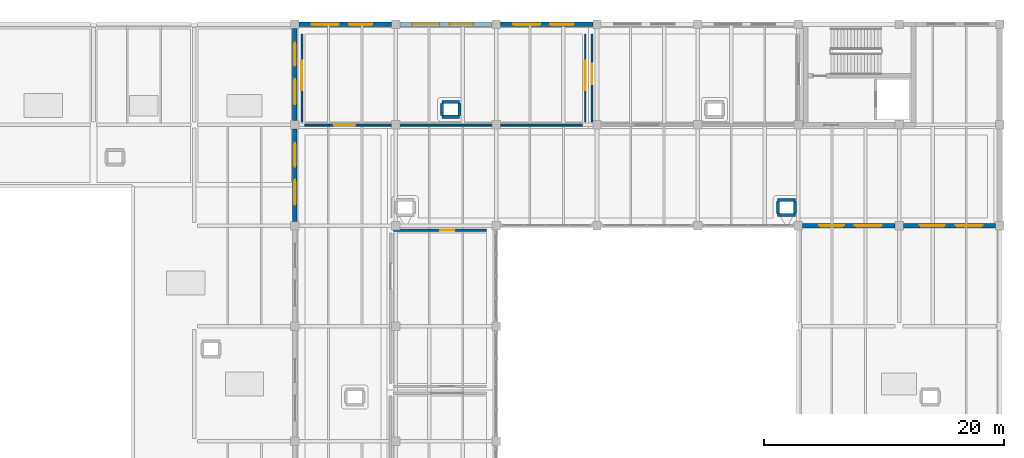
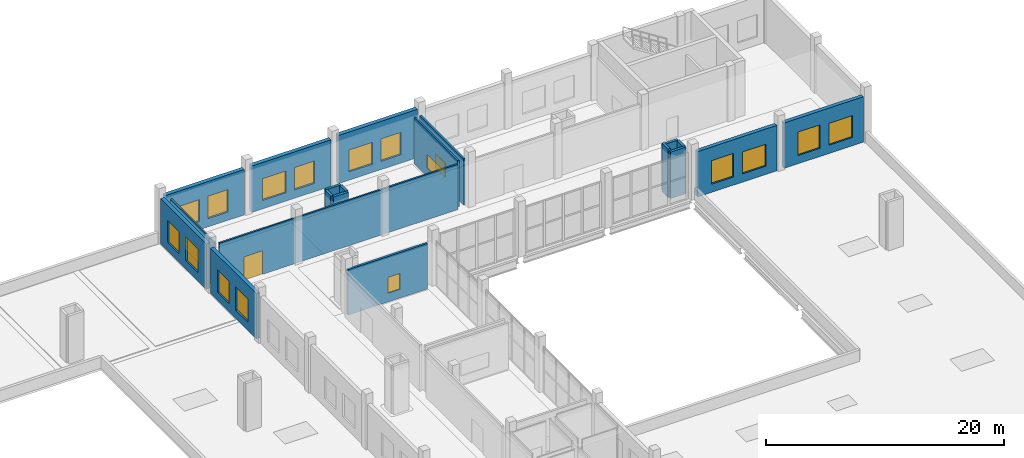
# One storey, part 42 of 49: 20 walls, 18 windows, 1 door, 19 openings.
"""IFC4 building model written with IfcOpenShell, lengths in metres."""

from ifc_helpers import new_model, si_unit, direction, frame, frame_2d, origin, place, context, subcontext, project, spatial, rectangle, extrude, material, layer, layer_set, type_object, element, fill, save


model = new_model("IFC4")

# Units and contexts
model_context = context("Model", 3, precision=1e-05, world=origin(), true_north=direction((0.0, 1.0)))
body_context = subcontext(model_context, "Body", "Model", "MODEL_VIEW")
ifc_project = project(units=[si_unit("LENGTHUNIT", "METRE"), si_unit("AREAUNIT", "SQUARE_METRE"), si_unit("VOLUMEUNIT", "CUBIC_METRE"), si_unit("PLANEANGLEUNIT", "RADIAN"), si_unit("MASSUNIT", "GRAM", prefix="KILO")], contexts=[model_context])

# Site, building, storey
site_placement = place(None, origin())
site = spatial("IfcSite", under=ifc_project, at=site_placement, CompositionType="ELEMENT")
building_placement = place(site_placement, origin())
building = spatial("IfcBuilding", under=site, at=building_placement, Name="Zulmaris Art Gallery", CompositionType="ELEMENT")
storey_placement = place(building_placement, frame((0.0, 0.0, 20.699951171875)))
storey = spatial("IfcBuildingStorey", under=building, at=storey_placement, Name="L04", CompositionType="ELEMENT", Elevation=20.699951171875)

# Wall, openings, windows
ifc_material_1 = material(Name="Omani Desert Rose Limestone Cladding Wall", Category="masonry")
ifc_layer_1 = layer(ifc_material_1, 0.389892578125)
ifc_layer_set_1 = layer_set([ifc_layer_1], Name="Omani Desert Rose Limestone Cladding Wall")
wall_type_1 = type_object("IfcWallType", Name="ENV-WALL-EW02", PredefinedType="SOLIDWALL", material=ifc_layer_set_1)
wall_1_placement = place(storey_placement, frame((141.951904296875, 75.60009765625, 0.0), z_axis=(0.0, 0.0, 1.0), x_axis=(1.0, 0.0, 0.0)))
wall_1 = element("IfcWall", 1, at=wall_1_placement, inside=storey, type_object=wall_type_1, Name="L04 V5 North Studio Daylight Facade Bay 1", PredefinedType="SOLIDWALL", context=body_context, shape_type="SweptSolid", body=[
    extrude(rectangle(XDim=7.696044921875, YDim=0.389892578125, at=frame_2d((3.84814453125, 0.0))), origin(), (0.0, 0.0, 1.0), 4.66015625),
])
opening_1_placement = place(wall_1_placement, frame((1.068115234375, 0.0, 0.85009765625)))
opening_1 = element("IfcOpeningElement", 2, at=opening_1_placement, cuts=wall_1, Name="Opening W09", PredefinedType="OPENING", context=body_context, shape_type="SweptSolid", body=[
    extrude(rectangle(XDim=2.25, YDim=2.25, at=frame_2d((1.125, 1.125))), frame((0.0, 0.204833984375, 0.0), z_axis=(0.0, -1.0, 0.0), x_axis=(1.0, 0.0, 0.0)), (0.0, 0.0, 1.0), 0.409912109375),
])
opening_2_placement = place(wall_1_placement, frame((4.16796875, 0.0, 0.85009765625)))
opening_2 = element("IfcOpeningElement", 3, at=opening_2_placement, cuts=wall_1, Name="Opening W08", PredefinedType="OPENING", context=body_context, shape_type="SweptSolid", body=[
    extrude(rectangle(XDim=1.949951171875, YDim=2.300048828125, at=frame_2d((0.97509765625, 1.14990234375))), frame((0.0, 0.204833984375, 0.0), z_axis=(0.0, -1.0, 0.0), x_axis=(1.0, 0.0, 0.0)), (0.0, 0.0, 1.0), 0.409912109375),
])
ifc_material_2 = material(Name="Curatorial North Studio Window", Category="glass")
window_type_1 = type_object("IfcWindowType", Name="WIN-W08", PartitioningType="SINGLE_PANEL", PredefinedType="WINDOW", material=ifc_material_2)
window_1_placement = place(opening_2_placement, origin())
window_1 = element("IfcWindow", 4, at=window_1_placement, inside=storey, type_object=window_type_1, Name="L04 exterior window W08", OverallHeight=2.300048828125, OverallWidth=1.949951171875, PartitioningType="SINGLE_PANEL", PredefinedType="WINDOW", context=body_context, shape_type="SweptSolid", body=[
    extrude(rectangle(XDim=1.949951171875, YDim=2.300048828125, at=frame_2d((0.97509765625, 1.14990234375))), frame((0.0, 0.030029296875, 0.0), z_axis=(0.0, -1.0, 0.0), x_axis=(1.0, 0.0, 0.0)), (0.0, 0.0, 1.0), 0.06005859375),
])
fill(opening_2, window_1)
ifc_material_3 = material(Name="Fellowship Library Daylight Window", Category="glass")
window_type_2 = type_object("IfcWindowType", Name="WIN-W09", PartitioningType="SINGLE_PANEL", PredefinedType="WINDOW", material=ifc_material_3)
window_2_placement = place(opening_1_placement, origin())
window_2 = element("IfcWindow", 5, at=window_2_placement, inside=storey, type_object=window_type_2, Name="L04 exterior window W09", OverallHeight=2.25, OverallWidth=2.25, PartitioningType="SINGLE_PANEL", PredefinedType="WINDOW", context=body_context, shape_type="SweptSolid", body=[
    extrude(rectangle(XDim=2.25, YDim=2.25, at=frame_2d((1.125, 1.125))), frame((0.0, 0.030029296875, 0.0), z_axis=(0.0, -1.0, 0.0), x_axis=(1.0, 0.0, 0.0)), (0.0, 0.0, 1.0), 0.06005859375),
])
fill(opening_1, window_2)

wall_2_placement = place(storey_placement, frame((150.35205078125, 75.60009765625, 0.0), z_axis=(0.0, 0.0, 1.0), x_axis=(1.0, 0.0, 0.0)))
wall_2 = element("IfcWall", 6, at=wall_2_placement, inside=storey, type_object=wall_type_1, Name="L04 V5 North Studio Daylight Facade Bay 2", PredefinedType="SOLIDWALL", context=body_context, shape_type="SweptSolid", body=[
    extrude(rectangle(XDim=7.696044921875, YDim=0.389892578125, at=frame_2d((3.84814453125, 0.0))), origin(), (0.0, 0.0, 1.0), 4.760009765625),
])
opening_3_placement = place(wall_2_placement, frame((1.068115234375, 0.0, 0.85009765625)))
opening_3 = element("IfcOpeningElement", 7, at=opening_3_placement, cuts=wall_2, Name="Opening W09", PredefinedType="OPENING", context=body_context, shape_type="SweptSolid", body=[
    extrude(rectangle(XDim=2.25, YDim=2.25, at=frame_2d((1.125, 1.125))), frame((0.0, 0.204833984375, 0.0), z_axis=(0.0, -1.0, 0.0), x_axis=(1.0, 0.0, 0.0)), (0.0, 0.0, 1.0), 0.409912109375),
])
opening_4_placement = place(wall_2_placement, frame((4.16796875, 0.0, 0.85009765625)))
opening_4 = element("IfcOpeningElement", 8, at=opening_4_placement, cuts=wall_2, Name="Opening W08", PredefinedType="OPENING", context=body_context, shape_type="SweptSolid", body=[
    extrude(rectangle(XDim=1.949951171875, YDim=2.300048828125, at=frame_2d((0.97509765625, 1.14990234375))), frame((0.0, 0.204833984375, 0.0), z_axis=(0.0, -1.0, 0.0), x_axis=(1.0, 0.0, 0.0)), (0.0, 0.0, 1.0), 0.409912109375),
])
window_3_placement = place(opening_4_placement, origin())
window_3 = element("IfcWindow", 9, at=window_3_placement, inside=storey, type_object=window_type_1, Name="L04 exterior window W08", OverallHeight=2.300048828125, OverallWidth=1.949951171875, PartitioningType="SINGLE_PANEL", PredefinedType="WINDOW", context=body_context, shape_type="SweptSolid", body=[
    extrude(rectangle(XDim=1.949951171875, YDim=2.300048828125, at=frame_2d((0.97509765625, 1.14990234375))), frame((0.0, 0.030029296875, 0.0), z_axis=(0.0, -1.0, 0.0), x_axis=(1.0, 0.0, 0.0)), (0.0, 0.0, 1.0), 0.06005859375),
])
fill(opening_4, window_3)
window_4_placement = place(opening_3_placement, origin())
window_4 = element("IfcWindow", 10, at=window_4_placement, inside=storey, type_object=window_type_2, Name="L04 exterior window W09", OverallHeight=2.25, OverallWidth=2.25, PartitioningType="SINGLE_PANEL", PredefinedType="WINDOW", context=body_context, shape_type="SweptSolid", body=[
    extrude(rectangle(XDim=2.25, YDim=2.25, at=frame_2d((1.125, 1.125))), frame((0.0, 0.030029296875, 0.0), z_axis=(0.0, -1.0, 0.0), x_axis=(1.0, 0.0, 0.0)), (0.0, 0.0, 1.0), 0.06005859375),
])
fill(opening_3, window_4)

wall_3_placement = place(storey_placement, frame((158.751953125, 75.60009765625, 0.0), z_axis=(0.0, 0.0, 1.0), x_axis=(1.0, 0.0, 0.0)))
wall_3 = element("IfcWall", 11, at=wall_3_placement, inside=storey, type_object=wall_type_1, Name="L04 V5 North Studio Daylight Facade Bay 3", PredefinedType="SOLIDWALL", context=body_context, shape_type="SweptSolid", body=[
    extrude(rectangle(XDim=7.696044921875, YDim=0.389892578125, at=frame_2d((3.84814453125, 0.0))), origin(), (0.0, 0.0, 1.0), 4.949951171875),
])
opening_5_placement = place(wall_3_placement, frame((1.068115234375, 0.0, 0.85009765625)))
opening_5 = element("IfcOpeningElement", 12, at=opening_5_placement, cuts=wall_3, Name="Opening W09", PredefinedType="OPENING", context=body_context, shape_type="SweptSolid", body=[
    extrude(rectangle(XDim=2.25, YDim=2.25, at=frame_2d((1.125, 1.125))), frame((0.0, 0.204833984375, 0.0), z_axis=(0.0, -1.0, 0.0), x_axis=(1.0, 0.0, 0.0)), (0.0, 0.0, 1.0), 0.409912109375),
])
opening_6_placement = place(wall_3_placement, frame((4.16796875, 0.0, 0.85009765625)))
opening_6 = element("IfcOpeningElement", 13, at=opening_6_placement, cuts=wall_3, Name="Opening W08", PredefinedType="OPENING", context=body_context, shape_type="SweptSolid", body=[
    extrude(rectangle(XDim=1.949951171875, YDim=2.300048828125, at=frame_2d((0.97509765625, 1.14990234375))), frame((0.0, 0.204833984375, 0.0), z_axis=(0.0, -1.0, 0.0), x_axis=(1.0, 0.0, 0.0)), (0.0, 0.0, 1.0), 0.409912109375),
])
window_5_placement = place(opening_6_placement, origin())
window_5 = element("IfcWindow", 14, at=window_5_placement, inside=storey, type_object=window_type_1, Name="L04 exterior window W08", OverallHeight=2.300048828125, OverallWidth=1.949951171875, PartitioningType="SINGLE_PANEL", PredefinedType="WINDOW", context=body_context, shape_type="SweptSolid", body=[
    extrude(rectangle(XDim=1.949951171875, YDim=2.300048828125, at=frame_2d((0.97509765625, 1.14990234375))), frame((0.0, 0.030029296875, 0.0), z_axis=(0.0, -1.0, 0.0), x_axis=(1.0, 0.0, 0.0)), (0.0, 0.0, 1.0), 0.06005859375),
])
fill(opening_6, window_5)
window_6_placement = place(opening_5_placement, origin())
window_6 = element("IfcWindow", 15, at=window_6_placement, inside=storey, type_object=window_type_2, Name="L04 exterior window W09", OverallHeight=2.25, OverallWidth=2.25, PartitioningType="SINGLE_PANEL", PredefinedType="WINDOW", context=body_context, shape_type="SweptSolid", body=[
    extrude(rectangle(XDim=2.25, YDim=2.25, at=frame_2d((1.125, 1.125))), frame((0.0, 0.030029296875, 0.0), z_axis=(0.0, -1.0, 0.0), x_axis=(1.0, 0.0, 0.0)), (0.0, 0.0, 1.0), 0.06005859375),
])
fill(opening_5, window_6)

ifc_material_4 = material(Name="Honed Omani Travertine Insulated Wall", Category="masonry")
ifc_layer_2 = layer(ifc_material_4, 0.360107421875)
ifc_layer_set_2 = layer_set([ifc_layer_2], Name="Honed Omani Travertine Insulated Wall")
wall_type_2 = type_object("IfcWallType", Name="ENV-WALL-EW03", PredefinedType="SOLIDWALL", material=ifc_layer_set_2)
wall_4_placement = place(storey_placement, frame((183.951904296875, 58.800048828125, 0.0), z_axis=(0.0, 0.0, 1.0), x_axis=(1.0, 0.0, 0.0)))
wall_4 = element("IfcWall", 16, at=wall_4_placement, inside=storey, type_object=wall_type_2, Name="L04 V5 Stepped South Studio Wall", PredefinedType="SOLIDWALL", context=body_context, shape_type="SweptSolid", body=[
    extrude(rectangle(XDim=7.696044921875, YDim=0.360107421875, at=frame_2d((3.84814453125, 0.0))), origin(), (0.0, 0.0, 1.0), 4.66015625),
])
opening_7_placement = place(wall_4_placement, frame((1.367919921875, 0.0, 0.85009765625)))
opening_7 = element("IfcOpeningElement", 17, at=opening_7_placement, cuts=wall_4, Name="Opening W03", PredefinedType="OPENING", context=body_context, shape_type="SweptSolid", body=[
    extrude(rectangle(XDim=2.10009765625, YDim=2.39990234375, at=frame_2d((1.050048828125, 1.199951171875))), frame((0.0, 0.18994140625, 0.0), z_axis=(0.0, -1.0, 0.0), x_axis=(1.0, 0.0, 0.0)), (0.0, 0.0, 1.0), 0.380126953125),
])
opening_8_placement = place(wall_4_placement, frame((4.367919921875, 0.0, 0.85009765625)))
opening_8 = element("IfcOpeningElement", 18, at=opening_8_placement, cuts=wall_4, Name="Opening W09", PredefinedType="OPENING", context=body_context, shape_type="SweptSolid", body=[
    extrude(rectangle(XDim=2.25, YDim=2.25, at=frame_2d((1.125, 1.125))), frame((0.0, 0.18994140625, 0.0), z_axis=(0.0, -1.0, 0.0), x_axis=(1.0, 0.0, 0.0)), (0.0, 0.0, 1.0), 0.380126953125),
])
ifc_material_5 = material(Name="Double-Glazed Bronze-Framed Studio Window", Category="glass")
window_type_3 = type_object("IfcWindowType", Name="WIN-W03", PartitioningType="SINGLE_PANEL", PredefinedType="WINDOW", material=ifc_material_5)
window_7_placement = place(opening_7_placement, origin())
window_7 = element("IfcWindow", 19, at=window_7_placement, inside=storey, type_object=window_type_3, Name="L04 exterior window W03", OverallHeight=2.39990234375, OverallWidth=2.10009765625, PartitioningType="SINGLE_PANEL", PredefinedType="WINDOW", context=body_context, shape_type="SweptSolid", body=[
    extrude(rectangle(XDim=2.10009765625, YDim=2.39990234375, at=frame_2d((1.050048828125, 1.199951171875))), frame((0.0, 0.030029296875, 0.0), z_axis=(0.0, -1.0, 0.0), x_axis=(1.0, 0.0, 0.0)), (0.0, 0.0, 1.0), 0.06005859375),
])
fill(opening_7, window_7)
window_8_placement = place(opening_8_placement, origin())
window_8 = element("IfcWindow", 20, at=window_8_placement, inside=storey, type_object=window_type_2, Name="L04 exterior window W09", OverallHeight=2.25, OverallWidth=2.25, PartitioningType="SINGLE_PANEL", PredefinedType="WINDOW", context=body_context, shape_type="SweptSolid", body=[
    extrude(rectangle(XDim=2.25, YDim=2.25, at=frame_2d((1.125, 1.125))), frame((0.0, 0.030029296875, 0.0), z_axis=(0.0, -1.0, 0.0), x_axis=(1.0, 0.0, 0.0)), (0.0, 0.0, 1.0), 0.06005859375),
])
fill(opening_8, window_8)

wall_5_placement = place(storey_placement, frame((192.35205078125, 58.800048828125, 0.0), z_axis=(0.0, 0.0, 1.0), x_axis=(1.0, 0.0, 0.0)))
wall_5 = element("IfcWall", 21, at=wall_5_placement, inside=storey, type_object=wall_type_2, Name="L04 V5 Stepped South Studio Wall", PredefinedType="SOLIDWALL", context=body_context, shape_type="SweptSolid", body=[
    extrude(rectangle(XDim=7.696044921875, YDim=0.360107421875, at=frame_2d((3.84814453125, 0.0))), origin(), (0.0, 0.0, 1.0), 4.66015625),
])
opening_9_placement = place(wall_5_placement, frame((1.367919921875, 0.0, 0.85009765625)))
opening_9 = element("IfcOpeningElement", 22, at=opening_9_placement, cuts=wall_5, Name="Opening W03", PredefinedType="OPENING", context=body_context, shape_type="SweptSolid", body=[
    extrude(rectangle(XDim=2.10009765625, YDim=2.39990234375, at=frame_2d((1.050048828125, 1.199951171875))), frame((0.0, 0.18994140625, 0.0), z_axis=(0.0, -1.0, 0.0), x_axis=(1.0, 0.0, 0.0)), (0.0, 0.0, 1.0), 0.380126953125),
])
opening_10_placement = place(wall_5_placement, frame((4.367919921875, 0.0, 0.85009765625)))
opening_10 = element("IfcOpeningElement", 23, at=opening_10_placement, cuts=wall_5, Name="Opening W09", PredefinedType="OPENING", context=body_context, shape_type="SweptSolid", body=[
    extrude(rectangle(XDim=2.25, YDim=2.25, at=frame_2d((1.125, 1.125))), frame((0.0, 0.18994140625, 0.0), z_axis=(0.0, -1.0, 0.0), x_axis=(1.0, 0.0, 0.0)), (0.0, 0.0, 1.0), 0.380126953125),
])
window_9_placement = place(opening_9_placement, origin())
window_9 = element("IfcWindow", 24, at=window_9_placement, inside=storey, type_object=window_type_3, Name="L04 exterior window W03", OverallHeight=2.39990234375, OverallWidth=2.10009765625, PartitioningType="SINGLE_PANEL", PredefinedType="WINDOW", context=body_context, shape_type="SweptSolid", body=[
    extrude(rectangle(XDim=2.10009765625, YDim=2.39990234375, at=frame_2d((1.050048828125, 1.199951171875))), frame((0.0, 0.030029296875, 0.0), z_axis=(0.0, -1.0, 0.0), x_axis=(1.0, 0.0, 0.0)), (0.0, 0.0, 1.0), 0.06005859375),
])
fill(opening_9, window_9)
window_10_placement = place(opening_10_placement, origin())
window_10 = element("IfcWindow", 25, at=window_10_placement, inside=storey, type_object=window_type_2, Name="L04 exterior window W09", OverallHeight=2.25, OverallWidth=2.25, PartitioningType="SINGLE_PANEL", PredefinedType="WINDOW", context=body_context, shape_type="SweptSolid", body=[
    extrude(rectangle(XDim=2.25, YDim=2.25, at=frame_2d((1.125, 1.125))), frame((0.0, 0.030029296875, 0.0), z_axis=(0.0, -1.0, 0.0), x_axis=(1.0, 0.0, 0.0)), (0.0, 0.0, 1.0), 0.06005859375),
])
fill(opening_10, window_10)

wall_6_placement = place(storey_placement, frame((141.60009765625, 59.152099609375, 0.0), z_axis=(0.0, 0.0, 1.0), x_axis=(0.0, 1.0, 0.0)))
wall_6 = element("IfcWall", 26, at=wall_6_placement, inside=storey, type_object=wall_type_2, Name="L04 V5 Upper West Overlook Facade", PredefinedType="SOLIDWALL", context=body_context, shape_type="SweptSolid", body=[
    extrude(rectangle(XDim=7.69580078125, YDim=0.360107421875, at=frame_2d((3.847900390625, 0.0))), origin(), (0.0, 0.0, 1.0), 4.66015625),
])
opening_11_placement = place(wall_6_placement, frame((1.367919921875, 0.0, 0.85009765625)))
opening_11 = element("IfcOpeningElement", 27, at=opening_11_placement, cuts=wall_6, Name="Opening W03", PredefinedType="OPENING", context=body_context, shape_type="SweptSolid", body=[
    extrude(rectangle(XDim=2.10009765625, YDim=2.39990234375, at=frame_2d((1.050048828125, 1.199951171875))), frame((0.0, 0.18994140625, 0.0), z_axis=(0.0, -1.0, 0.0), x_axis=(1.0, 0.0, 0.0)), (0.0, 0.0, 1.0), 0.380126953125),
])
opening_12_placement = place(wall_6_placement, frame((4.568115234375, 0.0, 0.85009765625)))
opening_12 = element("IfcOpeningElement", 28, at=opening_12_placement, cuts=wall_6, Name="Opening W08", PredefinedType="OPENING", context=body_context, shape_type="SweptSolid", body=[
    extrude(rectangle(XDim=1.949951171875, YDim=2.300048828125, at=frame_2d((0.97509765625, 1.14990234375))), frame((0.0, 0.18994140625, 0.0), z_axis=(0.0, -1.0, 0.0), x_axis=(1.0, 0.0, 0.0)), (0.0, 0.0, 1.0), 0.380126953125),
])
window_11_placement = place(opening_11_placement, origin())
window_11 = element("IfcWindow", 29, at=window_11_placement, inside=storey, type_object=window_type_3, Name="L04 exterior window W03", OverallHeight=2.39990234375, OverallWidth=2.10009765625, PartitioningType="SINGLE_PANEL", PredefinedType="WINDOW", context=body_context, shape_type="SweptSolid", body=[
    extrude(rectangle(XDim=2.10009765625, YDim=2.39990234375, at=frame_2d((1.050048828125, 1.199951171875))), frame((0.0, 0.030029296875, 0.0), z_axis=(0.0, -1.0, 0.0), x_axis=(1.0, 0.0, 0.0)), (0.0, 0.0, 1.0), 0.06005859375),
])
fill(opening_11, window_11)
window_12_placement = place(opening_12_placement, origin())
window_12 = element("IfcWindow", 30, at=window_12_placement, inside=storey, type_object=window_type_1, Name="L04 exterior window W08", OverallHeight=2.300048828125, OverallWidth=1.949951171875, PartitioningType="SINGLE_PANEL", PredefinedType="WINDOW", context=body_context, shape_type="SweptSolid", body=[
    extrude(rectangle(XDim=1.949951171875, YDim=2.300048828125, at=frame_2d((0.97509765625, 1.14990234375))), frame((0.0, 0.030029296875, 0.0), z_axis=(0.0, -1.0, 0.0), x_axis=(1.0, 0.0, 0.0)), (0.0, 0.0, 1.0), 0.06005859375),
])
fill(opening_12, window_12)

wall_7_placement = place(storey_placement, frame((141.60009765625, 67.552001953125, 0.0), z_axis=(0.0, 0.0, 1.0), x_axis=(0.0, 1.0, 0.0)))
wall_7 = element("IfcWall", 31, at=wall_7_placement, inside=storey, type_object=wall_type_2, Name="L04 V5 Upper West Overlook Facade", PredefinedType="SOLIDWALL", context=body_context, shape_type="SweptSolid", body=[
    extrude(rectangle(XDim=7.696044921875, YDim=0.360107421875, at=frame_2d((3.84814453125, 0.0))), origin(), (0.0, 0.0, 1.0), 4.66015625),
])
opening_13_placement = place(wall_7_placement, frame((1.367919921875, 0.0, 0.85009765625)))
opening_13 = element("IfcOpeningElement", 32, at=opening_13_placement, cuts=wall_7, Name="Opening W03", PredefinedType="OPENING", context=body_context, shape_type="SweptSolid", body=[
    extrude(rectangle(XDim=2.10009765625, YDim=2.39990234375, at=frame_2d((1.050048828125, 1.199951171875))), frame((0.0, 0.18994140625, 0.0), z_axis=(0.0, -1.0, 0.0), x_axis=(1.0, 0.0, 0.0)), (0.0, 0.0, 1.0), 0.380126953125),
])
opening_14_placement = place(wall_7_placement, frame((4.568115234375, 0.0, 0.85009765625)))
opening_14 = element("IfcOpeningElement", 33, at=opening_14_placement, cuts=wall_7, Name="Opening W08", PredefinedType="OPENING", context=body_context, shape_type="SweptSolid", body=[
    extrude(rectangle(XDim=1.949951171875, YDim=2.300048828125, at=frame_2d((0.97509765625, 1.14990234375))), frame((0.0, 0.18994140625, 0.0), z_axis=(0.0, -1.0, 0.0), x_axis=(1.0, 0.0, 0.0)), (0.0, 0.0, 1.0), 0.380126953125),
])
window_13_placement = place(opening_13_placement, origin())
window_13 = element("IfcWindow", 34, at=window_13_placement, inside=storey, type_object=window_type_3, Name="L04 exterior window W03", OverallHeight=2.39990234375, OverallWidth=2.10009765625, PartitioningType="SINGLE_PANEL", PredefinedType="WINDOW", context=body_context, shape_type="SweptSolid", body=[
    extrude(rectangle(XDim=2.10009765625, YDim=2.39990234375, at=frame_2d((1.050048828125, 1.199951171875))), frame((0.0, 0.030029296875, 0.0), z_axis=(0.0, -1.0, 0.0), x_axis=(1.0, 0.0, 0.0)), (0.0, 0.0, 1.0), 0.06005859375),
])
fill(opening_13, window_13)
window_14_placement = place(opening_14_placement, origin())
window_14 = element("IfcWindow", 35, at=window_14_placement, inside=storey, type_object=window_type_1, Name="L04 exterior window W08", OverallHeight=2.300048828125, OverallWidth=1.949951171875, PartitioningType="SINGLE_PANEL", PredefinedType="WINDOW", context=body_context, shape_type="SweptSolid", body=[
    extrude(rectangle(XDim=1.949951171875, YDim=2.300048828125, at=frame_2d((0.97509765625, 1.14990234375))), frame((0.0, 0.030029296875, 0.0), z_axis=(0.0, -1.0, 0.0), x_axis=(1.0, 0.0, 0.0)), (0.0, 0.0, 1.0), 0.06005859375),
])
fill(opening_14, window_14)

# Wall, opening, door
ifc_material_6 = material(Name="Timber-Backed Heavy Artwork Display Partition", Category="wood")
ifc_layer_3 = layer(ifc_material_6, 0.159912109375)
ifc_layer_set_3 = layer_set([ifc_layer_3], Name="Timber-Backed Heavy Artwork Display Partition")
wall_type_3 = type_object("IfcWallType", Name="IWALL-PW05", PredefinedType="PARTITIONING", material=ifc_layer_set_3)
wall_8_placement = place(storey_placement, frame((142.429931640625, 67.179931640625, 0.0), z_axis=(0.0, 0.0, 1.0), x_axis=(1.0, 0.0, 0.0)))
wall_8 = element("IfcWall", 36, at=wall_8_placement, inside=storey, type_object=wall_type_3, Name="Resident Artists' Studio 1 (Painting) S partition", PredefinedType="PARTITIONING", context=body_context, shape_type="SweptSolid", body=[
    extrude(rectangle(XDim=23.14013671875, YDim=0.159912109375, at=frame_2d((11.570068359375, 0.0))), origin(), (0.0, 0.0, 1.0), 4.66015625),
])
opening_15_placement = place(wall_8_placement, frame((2.39990234375, 0.0, 0.0)))
opening_15 = element("IfcOpeningElement", 37, at=opening_15_placement, cuts=wall_8, Name="Opening D15", PredefinedType="OPENING", context=body_context, shape_type="SweptSolid", body=[
    extrude(rectangle(XDim=1.800048828125, YDim=2.419921875, at=frame_2d((0.89990234375, 1.2099609375))), frame((0.0, 0.08984375, 0.0), z_axis=(0.0, -1.0, 0.0), x_axis=(1.0, 0.0, 0.0)), (0.0, 0.0, 1.0), 0.179931640625),
])
ifc_material_7 = material(Name="Auditorium Sound-Lock Double Door", Category="timber")
door_type = type_object("IfcDoorType", Name="IDOOR-D15", OperationType="DOUBLE_SWING_LEFT", PredefinedType="DOOR", material=ifc_material_7)
door_placement = place(opening_15_placement, origin())
door = element("IfcDoor", 38, at=door_placement, inside=storey, type_object=door_type, Name="Resident Artists' Studio 1 (Painting) Door", OperationType="DOUBLE_SWING_LEFT", OverallHeight=2.419921875, OverallWidth=1.800048828125, PredefinedType="DOOR", context=body_context, shape_type="SweptSolid", body=[
    extrude(rectangle(XDim=1.800048828125, YDim=2.419921875, at=frame_2d((0.89990234375, 1.2099609375))), frame((0.0, 0.02490234375, 0.0), z_axis=(0.0, -1.0, 0.0), x_axis=(1.0, 0.0, 0.0)), (0.0, 0.0, 1.0), 0.050048828125),
])
fill(opening_15, door)

# Wall, opening, window
wall_9_placement = place(storey_placement, frame((142.179931640625, 67.429931640625, 0.0), z_axis=(0.0, 0.0, 1.0), x_axis=(0.0, 1.0, 0.0)))
wall_9 = element("IfcWall", 39, at=wall_9_placement, inside=storey, type_object=wall_type_3, Name="Resident Artists' Studio 1 (Painting) W partition", PredefinedType="PARTITIONING", context=body_context, shape_type="SweptSolid", body=[
    extrude(rectangle(XDim=7.340087890625, YDim=0.159912109375, at=frame_2d((3.669921875, 0.0))), origin(), (0.0, 0.0, 1.0), 4.66015625),
])
opening_16_placement = place(wall_9_placement, frame((2.64990234375, 0.0, 0.89990234375)))
opening_16 = element("IfcOpeningElement", 40, at=opening_16_placement, cuts=wall_9, Name="Opening IW05", PredefinedType="OPENING", context=body_context, shape_type="SweptSolid", body=[
    extrude(rectangle(XDim=2.4599609375, YDim=1.3798828125, at=frame_2d((1.22998046875, 0.68994140625))), frame((0.0, 0.08984375, 0.0), z_axis=(0.0, -1.0, 0.0), x_axis=(1.0, 0.0, 0.0)), (0.0, 0.0, 1.0), 0.179931640625),
])
ifc_material_8 = material(Name="Workshop Safety Observation Window", Category="glass")
window_type_4 = type_object("IfcWindowType", Name="IWIN-IW05", PartitioningType="SINGLE_PANEL", PredefinedType="WINDOW", material=ifc_material_8)
window_15_placement = place(opening_16_placement, origin())
window_15 = element("IfcWindow", 41, at=window_15_placement, inside=storey, type_object=window_type_4, Name="L04 interior observation window IW05", OverallHeight=1.3798828125, OverallWidth=2.4599609375, PartitioningType="SINGLE_PANEL", PredefinedType="WINDOW", context=body_context, shape_type="SweptSolid", body=[
    extrude(rectangle(XDim=2.4599609375, YDim=1.3798828125, at=frame_2d((1.22998046875, 0.68994140625))), frame((0.0, 0.030029296875, 0.0), z_axis=(0.0, -1.0, 0.0), x_axis=(1.0, 0.0, 0.0)), (0.0, 0.0, 1.0), 0.06005859375),
])
fill(opening_16, window_15)

wall_10_placement = place(storey_placement, frame((165.820068359375, 67.429931640625, 0.0), z_axis=(0.0, 0.0, 1.0), x_axis=(0.0, 1.0, 0.0)))
wall_10 = element("IfcWall", 42, at=wall_10_placement, inside=storey, type_object=wall_type_3, Name="Resident Artists' Studio 1 (Painting) E partition", PredefinedType="PARTITIONING", context=body_context, shape_type="SweptSolid", body=[
    extrude(rectangle(XDim=7.340087890625, YDim=0.159912109375, at=frame_2d((3.669921875, 0.0))), origin(), (0.0, 0.0, 1.0), 4.760009765625),
])
opening_17_placement = place(wall_10_placement, frame((2.64990234375, 0.0, 0.89990234375)))
opening_17 = element("IfcOpeningElement", 43, at=opening_17_placement, cuts=wall_10, Name="Opening IW05", PredefinedType="OPENING", context=body_context, shape_type="SweptSolid", body=[
    extrude(rectangle(XDim=2.4599609375, YDim=1.3798828125, at=frame_2d((1.22998046875, 0.68994140625))), frame((0.0, 0.08984375, 0.0), z_axis=(0.0, -1.0, 0.0), x_axis=(1.0, 0.0, 0.0)), (0.0, 0.0, 1.0), 0.179931640625),
])
window_16_placement = place(opening_17_placement, origin())
window_16 = element("IfcWindow", 44, at=window_16_placement, inside=storey, type_object=window_type_4, Name="L04 interior observation window IW05", OverallHeight=1.3798828125, OverallWidth=2.4599609375, PartitioningType="SINGLE_PANEL", PredefinedType="WINDOW", context=body_context, shape_type="SweptSolid", body=[
    extrude(rectangle(XDim=2.4599609375, YDim=1.3798828125, at=frame_2d((1.22998046875, 0.68994140625))), frame((0.0, 0.030029296875, 0.0), z_axis=(0.0, -1.0, 0.0), x_axis=(1.0, 0.0, 0.0)), (0.0, 0.0, 1.0), 0.06005859375),
])
fill(opening_17, window_16)

ifc_material_9 = material(Name="Acoustic Studio Separation Partition", Category="gypsum")
ifc_layer_4 = layer(ifc_material_9, 0.175048828125)
ifc_layer_set_4 = layer_set([ifc_layer_4], Name="Acoustic Studio Separation Partition")
wall_type_4 = type_object("IfcWallType", Name="IWALL-PW06", PredefinedType="PARTITIONING", material=ifc_layer_set_4)
wall_11_placement = place(storey_placement, frame((166.3798828125, 67.429931640625, 0.0), z_axis=(0.0, 0.0, 1.0), x_axis=(0.0, 1.0, 0.0)))
wall_11 = element("IfcWall", 45, at=wall_11_placement, inside=storey, type_object=wall_type_4, Name="Resident Artists' Studio 2 (Mixed Media) W partition", PredefinedType="PARTITIONING", context=body_context, shape_type="SweptSolid", body=[
    extrude(rectangle(XDim=7.340087890625, YDim=0.175048828125, at=frame_2d((3.669921875, 0.0))), origin(), (0.0, 0.0, 1.0), 4.760009765625),
])
opening_18_placement = place(wall_11_placement, frame((3.14990234375, 0.0, 0.89990234375)))
opening_18 = element("IfcOpeningElement", 46, at=opening_18_placement, cuts=wall_11, Name="Opening IW06", PredefinedType="OPENING", context=body_context, shape_type="SweptSolid", body=[
    extrude(rectangle(XDim=1.719970703125, YDim=1.4599609375, at=frame_2d((0.85986328125, 0.72998046875))), frame((0.0, 0.097412109375, 0.0), z_axis=(0.0, -1.0, 0.0), x_axis=(1.0, 0.0, 0.0)), (0.0, 0.0, 1.0), 0.195068359375),
])
ifc_material_10 = material(Name="Library Reading Room Internal Glazing", Category="glass")
window_type_5 = type_object("IfcWindowType", Name="IWIN-IW06", PartitioningType="SINGLE_PANEL", PredefinedType="WINDOW", material=ifc_material_10)
window_17_placement = place(opening_18_placement, origin())
window_17 = element("IfcWindow", 47, at=window_17_placement, inside=storey, type_object=window_type_5, Name="L04 interior observation window IW06", OverallHeight=1.4599609375, OverallWidth=1.719970703125, PartitioningType="SINGLE_PANEL", PredefinedType="WINDOW", context=body_context, shape_type="SweptSolid", body=[
    extrude(rectangle(XDim=1.719970703125, YDim=1.4599609375, at=frame_2d((0.85986328125, 0.72998046875))), frame((0.0, 0.030029296875, 0.0), z_axis=(0.0, -1.0, 0.0), x_axis=(1.0, 0.0, 0.0)), (0.0, 0.0, 1.0), 0.06005859375),
])
fill(opening_18, window_17)

ifc_material_11 = material(Name="Fire-Rated Corridor Compartment Wall", Category="masonry")
ifc_layer_5 = layer(ifc_material_11, 0.205078125)
ifc_layer_set_5 = layer_set([ifc_layer_5], Name="Fire-Rated Corridor Compartment Wall")
wall_type_5 = type_object("IfcWallType", Name="IWALL-PW08", PredefinedType="PARTITIONING", material=ifc_layer_set_5)
wall_12_placement = place(storey_placement, frame((149.830078125, 58.419921875, 0.0), z_axis=(0.0, 0.0, 1.0), x_axis=(1.0, 0.0, 0.0)))
wall_12 = element("IfcWall", 48, at=wall_12_placement, inside=storey, type_object=wall_type_5, Name="Shared Wood, Metal & Kiln Workshop N partition", PredefinedType="PARTITIONING", context=body_context, shape_type="SweptSolid", body=[
    extrude(rectangle(XDim=7.739990234375, YDim=0.205078125, at=frame_2d((3.8701171875, 0.0))), origin(), (0.0, 0.0, 1.0), 4.66015625),
])
opening_19_placement = place(wall_12_placement, frame((3.89990234375, 0.0, 0.89990234375)))
opening_19 = element("IfcOpeningElement", 49, at=opening_19_placement, cuts=wall_12, Name="Opening IW08", PredefinedType="OPENING", context=body_context, shape_type="SweptSolid", body=[
    extrude(rectangle(XDim=1.159912109375, YDim=1.6201171875, at=frame_2d((0.580078125, 0.81005859375))), frame((0.0, 0.112548828125, 0.0), z_axis=(0.0, -1.0, 0.0), x_axis=(1.0, 0.0, 0.0)), (0.0, 0.0, 1.0), 0.22509765625),
])
ifc_material_12 = material(Name="Foyer Cloakroom Counter Glazing", Category="glass")
window_type_6 = type_object("IfcWindowType", Name="IWIN-IW08", PartitioningType="SINGLE_PANEL", PredefinedType="WINDOW", material=ifc_material_12)
window_18_placement = place(opening_19_placement, origin())
window_18 = element("IfcWindow", 50, at=window_18_placement, inside=storey, type_object=window_type_6, Name="L04 interior observation window IW08", OverallHeight=1.6201171875, OverallWidth=1.159912109375, PartitioningType="SINGLE_PANEL", PredefinedType="WINDOW", context=body_context, shape_type="SweptSolid", body=[
    extrude(rectangle(XDim=1.159912109375, YDim=1.6201171875, at=frame_2d((0.580078125, 0.81005859375))), frame((0.0, 0.030029296875, 0.0), z_axis=(0.0, -1.0, 0.0), x_axis=(1.0, 0.0, 0.0)), (0.0, 0.0, 1.0), 0.06005859375),
])
fill(opening_19, window_18)

# Walls
ifc_material_13 = material(Name="MEP Riser & Smoke Shaft Enclosure Wall", Category="masonry")
ifc_layer_6 = layer(ifc_material_13, 0.2548828125)
ifc_layer_set_6 = layer_set([ifc_layer_6], Name="MEP Riser & Smoke Shaft Enclosure Wall")
wall_type_6 = type_object("IfcWallType", Name="IWALL-PW11", PredefinedType="PARTITIONING", material=ifc_layer_set_6)
for number, where, z_axis, x_axis, name in (
    (51, (181.860107421875, 60.919921875, 0.0), (0.0, 0.0, 1.0), (1.0, 0.0, 0.0), "L04 MEP Riser 14 N wall"),
    (52, (181.860107421875, 59.679931640625, 0.0), (0.0, 0.0, 1.0), (1.0, 0.0, 0.0), "L04 MEP Riser 14 S wall"),
):
    element("IfcWall", number, at=place(storey_placement, frame(where, z_axis=z_axis, x_axis=x_axis)), inside=storey, type_object=wall_type_6, Name=name, PredefinedType="PARTITIONING", context=body_context, shape_type="SweptSolid", body=[
        extrude(rectangle(XDim=1.47998046875, YDim=0.2548828125, at=frame_2d((0.739990234375, 0.0))), origin(), (0.0, 0.0, 1.0), 4.760009765625),
    ])
wall_13_placement = place(storey_placement, frame((181.8798828125, 59.800048828125, 0.0), z_axis=(0.0, 0.0, 1.0), x_axis=(0.0, 1.0, 0.0)))
element("IfcWall", 53, at=wall_13_placement, inside=storey, type_object=wall_type_6, Name="L04 MEP Riser 14 W wall", PredefinedType="PARTITIONING", context=body_context, shape_type="SweptSolid", body=[
    extrude(rectangle(XDim=1.0, YDim=0.2548828125, at=frame_2d((0.5, 0.0))), origin(), (0.0, 0.0, 1.0), 4.97998046875),
])
wall_14_placement = place(storey_placement, frame((183.320068359375, 59.800048828125, 0.0), z_axis=(0.0, 0.0, 1.0), x_axis=(0.0, 1.0, 0.0)))
element("IfcWall", 54, at=wall_14_placement, inside=storey, type_object=wall_type_6, Name="L04 MEP Riser 14 E wall", PredefinedType="PARTITIONING", context=body_context, shape_type="SweptSolid", body=[
    extrude(rectangle(XDim=1.0, YDim=0.2548828125, at=frame_2d((0.5, 0.0))), origin(), (0.0, 0.0, 1.0), 4.760009765625),
])
for number, where, z_axis, x_axis, name in (
    (55, (153.860107421875, 69.1201171875, 0.0), (0.0, 0.0, 1.0), (1.0, 0.0, 0.0), "L04 MEP Riser 15 N wall"),
    (56, (153.860107421875, 67.8798828125, 0.0), (0.0, 0.0, 1.0), (1.0, 0.0, 0.0), "L04 MEP Riser 15 S wall"),
):
    element("IfcWall", number, at=place(storey_placement, frame(where, z_axis=z_axis, x_axis=x_axis)), inside=storey, type_object=wall_type_6, Name=name, PredefinedType="PARTITIONING", context=body_context, shape_type="SweptSolid", body=[
        extrude(rectangle(XDim=1.47998046875, YDim=0.2548828125, at=frame_2d((0.739990234375, 0.0))), origin(), (0.0, 0.0, 1.0), 4.97998046875),
    ])
for number, where, z_axis, x_axis, name in (
    (57, (153.8798828125, 68.0, 0.0), (0.0, 0.0, 1.0), (0.0, 1.0, 0.0), "L04 MEP Riser 15 W wall"),
    (58, (155.320068359375, 68.0, 0.0), (0.0, 0.0, 1.0), (0.0, 1.0, 0.0), "L04 MEP Riser 15 E wall"),
):
    element("IfcWall", number, at=place(storey_placement, frame(where, z_axis=z_axis, x_axis=x_axis)), inside=storey, type_object=wall_type_6, Name=name, PredefinedType="PARTITIONING", context=body_context, shape_type="SweptSolid", body=[
        extrude(rectangle(XDim=1.0, YDim=0.2548828125, at=frame_2d((0.5, 0.0))), origin(), (0.0, 0.0, 1.0), 4.97998046875),
    ])

save(model, "model.ifc")
